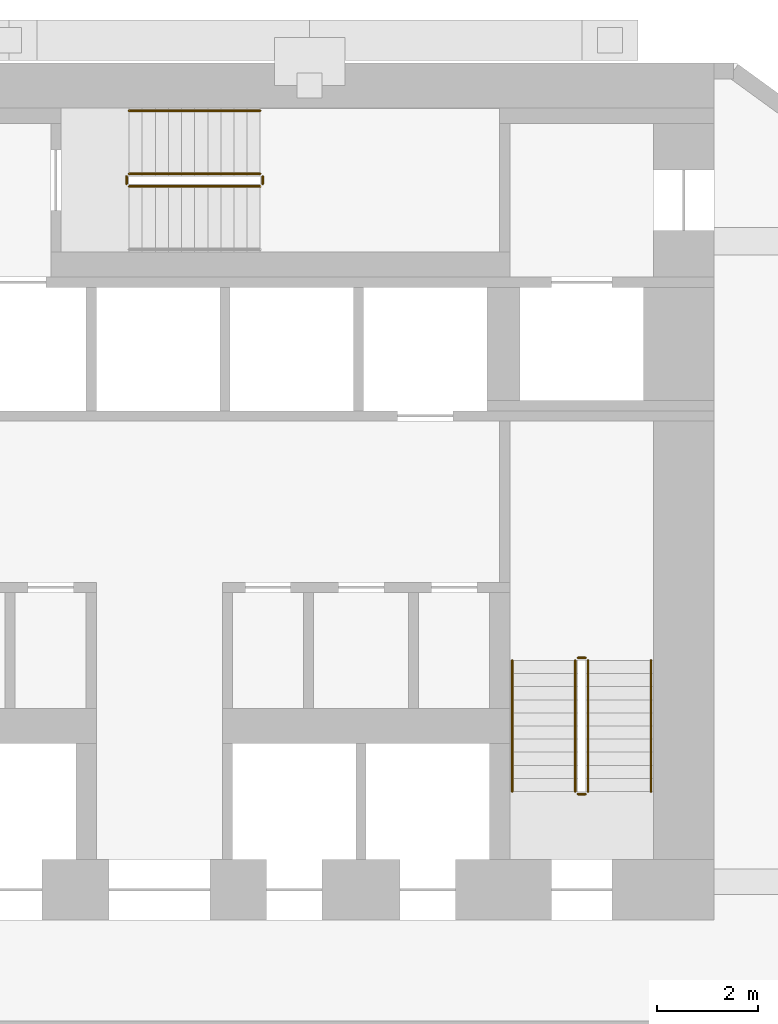
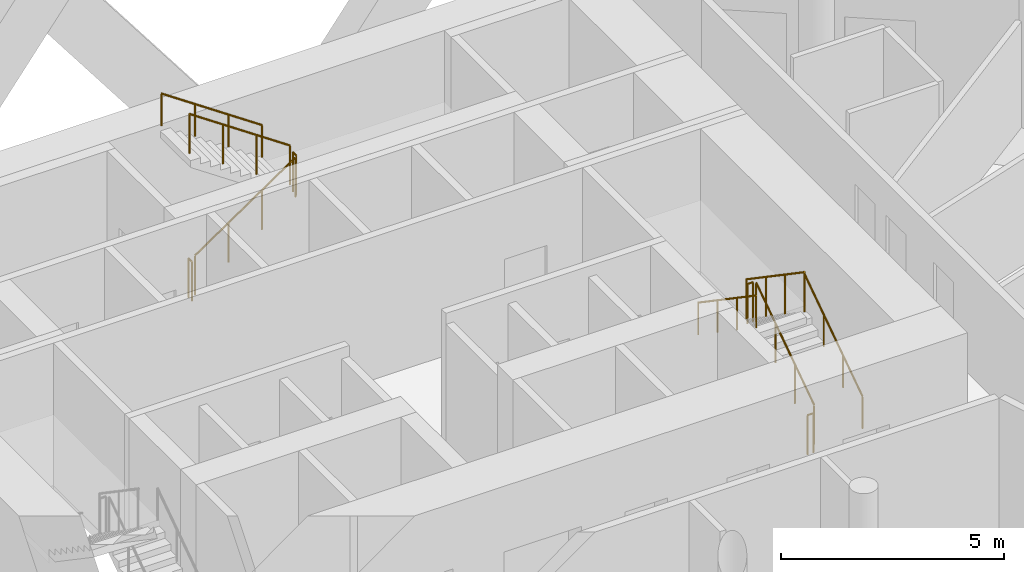
# One storey, part 10 of 10: 11 railings.
"""IFC4 building model written with IfcOpenShell, lengths in metres."""

from ifc_helpers import new_model, si_unit, direction, frame, origin, origin_2d, place, context, subcontext, project, spatial, circle, extrude, material, type_object, element, save


model = new_model("IFC4")

# Units and contexts
model_context = context("Model", 3, precision=1e-05, world=origin(), true_north=direction((0.0, 1.0)))
body_context = subcontext(model_context, "Body", "Model", "MODEL_VIEW")
ifc_project = project(units=[si_unit("LENGTHUNIT", "METRE"), si_unit("AREAUNIT", "SQUARE_METRE"), si_unit("VOLUMEUNIT", "CUBIC_METRE"), si_unit("PLANEANGLEUNIT", "RADIAN"), si_unit("MASSUNIT", "GRAM", prefix="KILO")], contexts=[model_context])

# Site, building, storey
site_placement = place(None, origin())
site = spatial("IfcSite", under=ifc_project, at=site_placement, CompositionType="ELEMENT")
building_placement = place(site_placement, origin())
building = spatial("IfcBuilding", under=site, at=building_placement, Name="White Candle Pilgrim Tower", CompositionType="ELEMENT")
storey_placement = place(building_placement, frame((0.0, 0.0, 78.0)))
storey = spatial("IfcBuildingStorey", under=building, at=storey_placement, Name="L16", CompositionType="ELEMENT", Elevation=78.0)

# Railings
ifc_material = material(Name="Stainless steel", Category="steel")
railing_type_1 = type_object("IfcRailingType", Name="Stair guard stainless steel 1100 mm", PredefinedType="GUARDRAIL", material=ifc_material)
railing_1_placement = place(storey_placement, frame((78.5, 73.550048828125, 0.17724609375)))
element("IfcRailing", 1, at=railing_1_placement, inside=storey, type_object=railing_type_1, Name="L16 ST2 stair guard 1", PredefinedType="GUARDRAIL", context=body_context, shape_type="SweptSolid", body=[
    extrude(circle(Radius=0.02392578125, at=origin_2d()), frame((0.0, 0.0, 1.076171875), z_axis=(0.0, 0.826215852431, 0.563353676824), x_axis=(-1.0, 0.0, 0.0)), (0.0, 0.0, 1.0), 3.146728515625),
    extrude(circle(Radius=0.02099609375, at=origin_2d()), origin(), (0.0, 0.0, 1.0), 1.052001953125),
    extrude(circle(Radius=0.02099609375, at=origin_2d()), frame((0.0, 0.86669921875, 0.5908203125)), (0.0, 0.0, 1.0), 1.052001953125),
    extrude(circle(Radius=0.02099609375, at=origin_2d()), frame((0.0, 1.733154296875, 1.181884765625)), (0.0, 0.0, 1.0), 1.052001953125),
    extrude(circle(Radius=0.02099609375, at=origin_2d()), frame((0.0, 2.599853515625, 1.772705078125)), (0.0, 0.0, 1.0), 1.052001953125),
])
railing_2_placement = place(storey_placement, frame((78.449951171875, 76.199951171875, 1.949951171875)))
element("IfcRailing", 2, at=railing_2_placement, inside=storey, type_object=railing_type_1, Name="L16 ST2 stair guard 2", PredefinedType="GUARDRAIL", context=body_context, shape_type="SweptSolid", body=[
    extrude(circle(Radius=0.02392578125, at=origin_2d()), frame((0.0, 0.0, 1.076171875), z_axis=(-1.0, 0.0, 0.0), x_axis=(0.0, -1.0, 0.0)), (0.0, 0.0, 1.0), 0.14990234375),
    extrude(circle(Radius=0.02099609375, at=origin_2d()), origin(), (0.0, 0.0, 1.0), 1.052001953125),
    extrude(circle(Radius=0.02099609375, at=origin_2d()), frame((-0.14990234375, 0.0, 0.0)), (0.0, 0.0, 1.0), 1.052001953125),
])
railing_3_placement = place(storey_placement, frame((78.25, 76.14990234375, 2.127197265625)))
element("IfcRailing", 3, at=railing_3_placement, inside=storey, type_object=railing_type_1, Name="L16 ST2 stair guard 3", PredefinedType="GUARDRAIL", context=body_context, shape_type="SweptSolid", body=[
    extrude(circle(Radius=0.02392578125, at=origin_2d()), frame((0.0, 0.0, 1.076171875), z_axis=(0.0, -0.826215852431, 0.563353676824), x_axis=(1.0, 0.0, 0.0)), (0.0, 0.0, 1.0), 3.146728515625),
    extrude(circle(Radius=0.02099609375, at=origin_2d()), origin(), (0.0, 0.0, 1.0), 1.052001953125),
    extrude(circle(Radius=0.02099609375, at=origin_2d()), frame((0.0, -0.86669921875, 0.5908203125)), (0.0, 0.0, 1.0), 1.052001953125),
    extrude(circle(Radius=0.02099609375, at=origin_2d()), frame((0.0, -1.733154296875, 1.181884765625)), (0.0, 0.0, 1.0), 1.052001953125),
    extrude(circle(Radius=0.02099609375, at=origin_2d()), frame((0.0, -2.599853515625, 1.772705078125)), (0.0, 0.0, 1.0), 1.052001953125),
])
railing_4_placement = place(storey_placement, frame((78.449951171875, 73.5, 0.0)))
element("IfcRailing", 4, at=railing_4_placement, inside=storey, type_object=railing_type_1, Name="L16 ST2 stair guard 4", PredefinedType="GUARDRAIL", context=body_context, shape_type="SweptSolid", body=[
    extrude(circle(Radius=0.02392578125, at=origin_2d()), frame((0.0, 0.0, 1.076171875), z_axis=(-1.0, 0.0, 0.0), x_axis=(0.0, -1.0, 0.0)), (0.0, 0.0, 1.0), 0.14990234375),
    extrude(circle(Radius=0.02099609375, at=origin_2d()), origin(), (0.0, 0.0, 1.0), 1.052001953125),
    extrude(circle(Radius=0.02099609375, at=origin_2d()), frame((-0.14990234375, 0.0, 0.0)), (0.0, 0.0, 1.0), 1.052001953125),
])
railing_5_placement = place(storey_placement, frame((69.39990234375, 85.550048828125, 0.17724609375)))
element("IfcRailing", 5, at=railing_5_placement, inside=storey, type_object=railing_type_1, Name="L16 ST3 stair guard 1", PredefinedType="GUARDRAIL", context=body_context, shape_type="SweptSolid", body=[
    extrude(circle(Radius=0.02392578125, at=origin_2d()), frame((0.0, 0.0, 1.076171875), z_axis=(0.826240473404, 0.0, 0.563317565952), x_axis=(0.0, 1.0, 0.0)), (0.0, 0.0, 1.0), 3.14697265625),
    extrude(circle(Radius=0.02099609375, at=origin_2d()), origin(), (0.0, 0.0, 1.0), 1.052001953125),
    extrude(circle(Radius=0.02099609375, at=origin_2d()), frame((0.86669921875, 0.0, 0.5908203125)), (0.0, 0.0, 1.0), 1.052001953125),
    extrude(circle(Radius=0.02099609375, at=origin_2d()), frame((1.7333984375, 0.0, 1.181884765625)), (0.0, 0.0, 1.0), 1.052001953125),
    extrude(circle(Radius=0.02099609375, at=origin_2d()), frame((2.60009765625, 0.0, 1.772705078125)), (0.0, 0.0, 1.0), 1.052001953125),
])
railing_6_placement = place(storey_placement, frame((72.050048828125, 85.60009765625, 1.949951171875)))
element("IfcRailing", 6, at=railing_6_placement, inside=storey, type_object=railing_type_1, Name="L16 ST3 stair guard 2", PredefinedType="GUARDRAIL", context=body_context, shape_type="SweptSolid", body=[
    extrude(circle(Radius=0.02392578125, at=origin_2d()), frame((0.0, 0.0, 1.076171875), z_axis=(0.0, 1.0, 0.0), x_axis=(-1.0, 0.0, 0.0)), (0.0, 0.0, 1.0), 0.14990234375),
    extrude(circle(Radius=0.02099609375, at=origin_2d()), origin(), (0.0, 0.0, 1.0), 1.052001953125),
    extrude(circle(Radius=0.02099609375, at=origin_2d()), frame((0.0, 0.14990234375, 0.0)), (0.0, 0.0, 1.0), 1.052001953125),
])
railing_7_placement = place(storey_placement, frame((72.0, 85.800048828125, 2.127197265625)))
element("IfcRailing", 7, at=railing_7_placement, inside=storey, type_object=railing_type_1, Name="L16 ST3 stair guard 3", PredefinedType="GUARDRAIL", context=body_context, shape_type="SweptSolid", body=[
    extrude(circle(Radius=0.02392578125, at=origin_2d()), frame((0.0, 0.0, 1.076171875), z_axis=(-0.826240473404, 0.0, 0.563317565952), x_axis=(0.0, -1.0, 0.0)), (0.0, 0.0, 1.0), 3.14697265625),
    extrude(circle(Radius=0.02099609375, at=origin_2d()), origin(), (0.0, 0.0, 1.0), 1.052001953125),
    extrude(circle(Radius=0.02099609375, at=origin_2d()), frame((-0.86669921875, 0.0, 0.5908203125)), (0.0, 0.0, 1.0), 1.052001953125),
    extrude(circle(Radius=0.02099609375, at=origin_2d()), frame((-1.7333984375, 0.0, 1.181884765625)), (0.0, 0.0, 1.0), 1.052001953125),
    extrude(circle(Radius=0.02099609375, at=origin_2d()), frame((-2.60009765625, 0.0, 1.772705078125)), (0.0, 0.0, 1.0), 1.052001953125),
])
railing_8_placement = place(storey_placement, frame((69.35009765625, 85.60009765625, 0.0)))
element("IfcRailing", 8, at=railing_8_placement, inside=storey, type_object=railing_type_1, Name="L16 ST3 stair guard 4", PredefinedType="GUARDRAIL", context=body_context, shape_type="SweptSolid", body=[
    extrude(circle(Radius=0.02392578125, at=origin_2d()), frame((0.0, 0.0, 1.076171875), z_axis=(0.0, 1.0, 0.0), x_axis=(-1.0, 0.0, 0.0)), (0.0, 0.0, 1.0), 0.14990234375),
    extrude(circle(Radius=0.02099609375, at=origin_2d()), origin(), (0.0, 0.0, 1.0), 1.052001953125),
    extrude(circle(Radius=0.02099609375, at=origin_2d()), frame((0.0, 0.14990234375, 0.0)), (0.0, 0.0, 1.0), 1.052001953125),
])
railing_type_2 = type_object("IfcRailingType", Name="Stair handrail stainless steel", PredefinedType="HANDRAIL", material=ifc_material)
railing_9_placement = place(storey_placement, frame((79.75, 73.550048828125, 0.17724609375)))
element("IfcRailing", 9, at=railing_9_placement, inside=storey, type_object=railing_type_2, Name="L16 ST2 stair handrail 1", PredefinedType="HANDRAIL", context=body_context, shape_type="SweptSolid", body=[
    extrude(circle(Radius=0.02392578125, at=origin_2d()), frame((0.0, 0.0, 0.8759765625), z_axis=(0.0, 0.826215852431, 0.563353676824), x_axis=(-1.0, 0.0, 0.0)), (0.0, 0.0, 1.0), 3.146728515625),
    extrude(circle(Radius=0.02099609375, at=origin_2d()), origin(), (0.0, 0.0, 1.0), 0.851806640625),
    extrude(circle(Radius=0.02099609375, at=origin_2d()), frame((0.0, 0.86669921875, 0.5908203125)), (0.0, 0.0, 1.0), 0.851806640625),
    extrude(circle(Radius=0.02099609375, at=origin_2d()), frame((0.0, 1.733154296875, 1.181884765625)), (0.0, 0.0, 1.0), 0.851806640625),
    extrude(circle(Radius=0.02099609375, at=origin_2d()), frame((0.0, 2.599853515625, 1.772705078125)), (0.0, 0.0, 1.0), 0.851806640625),
])
railing_10_placement = place(storey_placement, frame((77.0, 76.14990234375, 2.127197265625)))
element("IfcRailing", 10, at=railing_10_placement, inside=storey, type_object=railing_type_2, Name="L16 ST2 stair handrail 2", PredefinedType="HANDRAIL", context=body_context, shape_type="SweptSolid", body=[
    extrude(circle(Radius=0.02392578125, at=origin_2d()), frame((0.0, 0.0, 0.8759765625), z_axis=(0.0, -0.826215852431, 0.563353676824), x_axis=(1.0, 0.0, 0.0)), (0.0, 0.0, 1.0), 3.146728515625),
    extrude(circle(Radius=0.02099609375, at=origin_2d()), origin(), (0.0, 0.0, 1.0), 0.851806640625),
    extrude(circle(Radius=0.02099609375, at=origin_2d()), frame((0.0, -0.86669921875, 0.5908203125)), (0.0, 0.0, 1.0), 0.851806640625),
    extrude(circle(Radius=0.02099609375, at=origin_2d()), frame((0.0, -1.733154296875, 1.181884765625)), (0.0, 0.0, 1.0), 0.851806640625),
    extrude(circle(Radius=0.02099609375, at=origin_2d()), frame((0.0, -2.599853515625, 1.772705078125)), (0.0, 0.0, 1.0), 0.851806640625),
])
railing_11_placement = place(storey_placement, frame((72.0, 87.050048828125, 2.127197265625)))
element("IfcRailing", 11, at=railing_11_placement, inside=storey, type_object=railing_type_2, Name="L16 ST3 stair handrail 2", PredefinedType="HANDRAIL", context=body_context, shape_type="SweptSolid", body=[
    extrude(circle(Radius=0.02392578125, at=origin_2d()), frame((0.0, 0.0, 0.8759765625), z_axis=(-0.826240473404, 0.0, 0.563317565952), x_axis=(0.0, -1.0, 0.0)), (0.0, 0.0, 1.0), 3.14697265625),
    extrude(circle(Radius=0.02099609375, at=origin_2d()), origin(), (0.0, 0.0, 1.0), 0.851806640625),
    extrude(circle(Radius=0.02099609375, at=origin_2d()), frame((-0.86669921875, 0.0, 0.5908203125)), (0.0, 0.0, 1.0), 0.851806640625),
    extrude(circle(Radius=0.02099609375, at=origin_2d()), frame((-1.7333984375, 0.0, 1.181884765625)), (0.0, 0.0, 1.0), 0.851806640625),
    extrude(circle(Radius=0.02099609375, at=origin_2d()), frame((-2.60009765625, 0.0, 1.772705078125)), (0.0, 0.0, 1.0), 0.851806640625),
])

save(model, "model.ifc")
